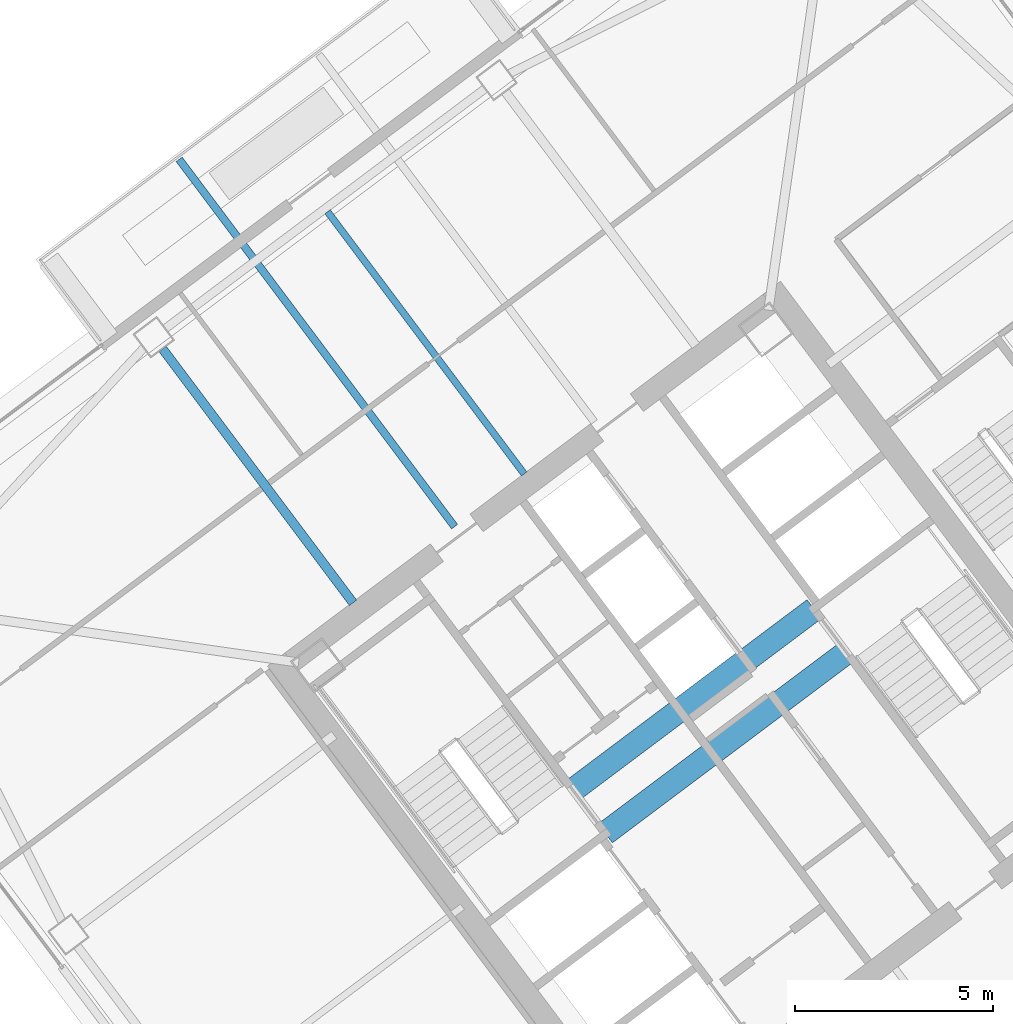
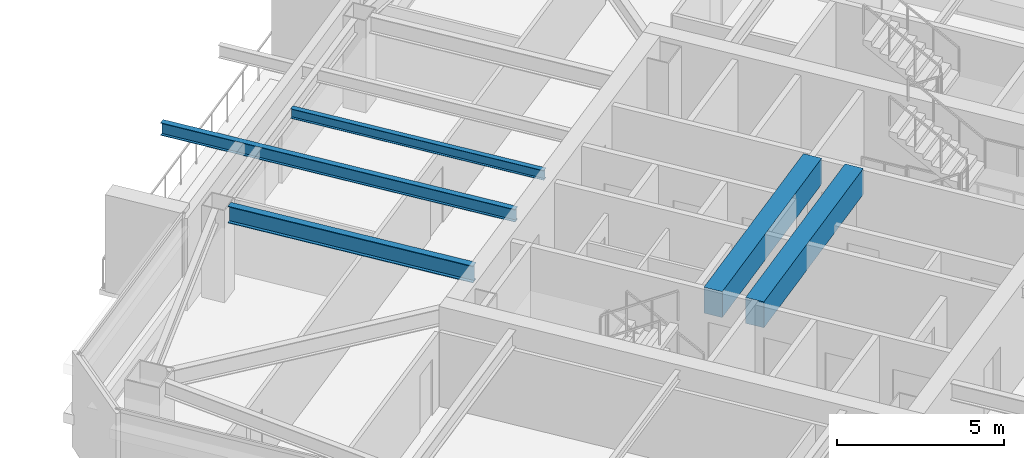
# One storey, part 23 of 43: 5 beams.
"""IFC4 building model written with IfcOpenShell, lengths in metres."""

from ifc_helpers import new_model, si_unit, direction, frame, origin, origin_2d, place, context, subcontext, project, spatial, rectangle, i_section, extrude, material, material_profile, profile_set, type_object, element, save


model = new_model("IFC4")

# Units and contexts
model_context = context("Model", 3, precision=1e-05, world=origin(), true_north=direction((0.0, 1.0)))
body_context = subcontext(model_context, "Body", "Model", "MODEL_VIEW")
ifc_project = project(units=[si_unit("LENGTHUNIT", "METRE"), si_unit("AREAUNIT", "SQUARE_METRE"), si_unit("VOLUMEUNIT", "CUBIC_METRE"), si_unit("PLANEANGLEUNIT", "RADIAN"), si_unit("MASSUNIT", "GRAM", prefix="KILO")], contexts=[model_context])

# Site, building, storey
site_placement = place(None, origin())
site = spatial("IfcSite", under=ifc_project, at=site_placement, CompositionType="ELEMENT")
building_placement = place(site_placement, origin())
building = spatial("IfcBuilding", under=site, at=building_placement, Name="Tashvorn Skyway Center", CompositionType="ELEMENT")
storey_placement = place(building_placement, frame((0.0, 0.0, 188.949951171875)))
storey = spatial("IfcBuildingStorey", under=building, at=storey_placement, Name="L51", CompositionType="ELEMENT", Elevation=188.949951171875)

# Beams
ifc_material_1 = material(Name="Steel ASTM A992 Grade 50", Category="steel")
ifc_material_profile_1 = material_profile(ifc_material_1, i_section(OverallWidth=0.22998046875, OverallDepth=0.616943359375, WebThickness=0.01318359375, FlangeThickness=0.022216796875, at=origin_2d()), Name="W24X94")
ifc_profile_set_1 = profile_set([ifc_material_profile_1], Name="Steel ASTM A992 Grade 50")
beam_type_1 = type_object("IfcBeamType", Name="BM-BEAM-W24X94", PredefinedType="BEAM", material=ifc_profile_set_1)
beam_1_placement = place(storey_placement, frame((100.2119140625, 41.384033203125, 3.0615234375), z_axis=(0.599995117266, -0.800003662027, 0.0), x_axis=(0.800003662027, 0.599995117266, 0.0)))
element("IfcBeam", 1, at=beam_1_placement, inside=storey, type_object=beam_type_1, Name="Tower 2 L51 Primary Floor Girder FC-N2", PredefinedType="BEAM", context=body_context, shape_type="SweptSolid", body=[
    extrude(i_section(OverallWidth=0.22998046875, OverallDepth=0.616943359375, WebThickness=0.01318359375, FlangeThickness=0.022216796875, at=origin_2d()), origin(), (0.0, 0.0, 1.0), 8.000244140625),
])
ifc_material_profile_2 = material_profile(ifc_material_1, i_section(OverallWidth=0.1708984375, OverallDepth=0.35498046875, WebThickness=0.007080078125, FlangeThickness=0.01171875, at=origin_2d()), Name="W14X34")
ifc_profile_set_2 = profile_set([ifc_material_profile_2], Name="Steel ASTM A992 Grade 50")
beam_type_2 = type_object("IfcBeamType", Name="BM-JOIST-W14X34", PredefinedType="JOIST", material=ifc_profile_set_2)
beam_2_placement = place(storey_placement, frame((109.325927734375, 38.23193359375, 3.192626953125), z_axis=(-0.59999527236, 0.800003545708, 0.0), x_axis=(-0.800003545708, -0.59999527236, 0.0)))
element("IfcBeam", 2, at=beam_2_placement, inside=storey, type_object=beam_type_2, Name="Tower 2 L51 Secondary Composite Joist JN", PredefinedType="JOIST", context=body_context, shape_type="SweptSolid", body=[
    extrude(i_section(OverallWidth=0.1708984375, OverallDepth=0.35498046875, WebThickness=0.007080078125, FlangeThickness=0.01171875, at=origin_2d()), origin(), (0.0, 0.0, 1.0), 8.2626953125),
])
ifc_material_profile_3 = material_profile(ifc_material_1, i_section(OverallWidth=0.19091796875, OverallDepth=0.4599609375, WebThickness=0.010009765625, FlangeThickness=0.01611328125, at=origin_2d()), Name="W18X55")
ifc_profile_set_3 = profile_set([ifc_material_profile_3], Name="Steel ASTM A992 Grade 50")
beam_type_3 = type_object("IfcBeamType", Name="BM-JOIST-W18X55", PredefinedType="JOIST", material=ifc_profile_set_3)
beam_3_placement = place(storey_placement, frame((107.572021484375, 36.904052734375, 3.14013671875), z_axis=(-0.600013504702, 0.799989871295, 0.0), x_axis=(-0.799989871295, -0.600013504702, 0.0)))
element("IfcBeam", 3, at=beam_3_placement, inside=storey, type_object=beam_type_3, Name="Tower 2 L52 Terrace Cantilever Outlooker 1", PredefinedType="JOIST", context=body_context, shape_type="SweptSolid", body=[
    extrude(i_section(OverallWidth=0.19091796875, OverallDepth=0.4599609375, WebThickness=0.010009765625, FlangeThickness=0.01611328125, at=origin_2d()), origin(), (0.0, 0.0, 1.0), 11.570068359375),
])
ifc_material_2 = material(Name="Concrete C60/75", Category="concrete")
ifc_material_profile_4 = material_profile(ifc_material_2, rectangle(XDim=0.60009765625, YDim=0.949951171875, at=origin_2d()), Name="RCB600x950")
ifc_profile_set_4 = profile_set([ifc_material_profile_4], Name="Concrete C60/75")
beam_type_4 = type_object("IfcBeamType", Name="BM-LINTEL-RCB600x950", PredefinedType="LINTEL", material=ifc_profile_set_4)
for number, where, z_axis, x_axis, name in (
    (4, (110.552001953125, 30.263916015625, 2.89501953125), (0.8, 0.6, 0.0), (-0.6, 0.8, 0.0), "Tower 2 L51 Core Coupling Beam CN"),
    (5, (111.367919921875, 29.176025390625, 2.89501953125), (0.8, 0.6, 0.0), (-0.6, 0.8, 0.0), "Tower 2 L51 Core Coupling Beam CS"),
):
    element("IfcBeam", number, at=place(storey_placement, frame(where, z_axis=z_axis, x_axis=x_axis)), inside=storey, type_object=beam_type_4, Name=name, PredefinedType="LINTEL", context=body_context, shape_type="SweptSolid", body=[
        extrude(rectangle(XDim=0.60009765625, YDim=0.949951171875, at=origin_2d()), origin(), (0.0, 0.0, 1.0), 7.60009765625),
    ])

save(model, "model.ifc")
